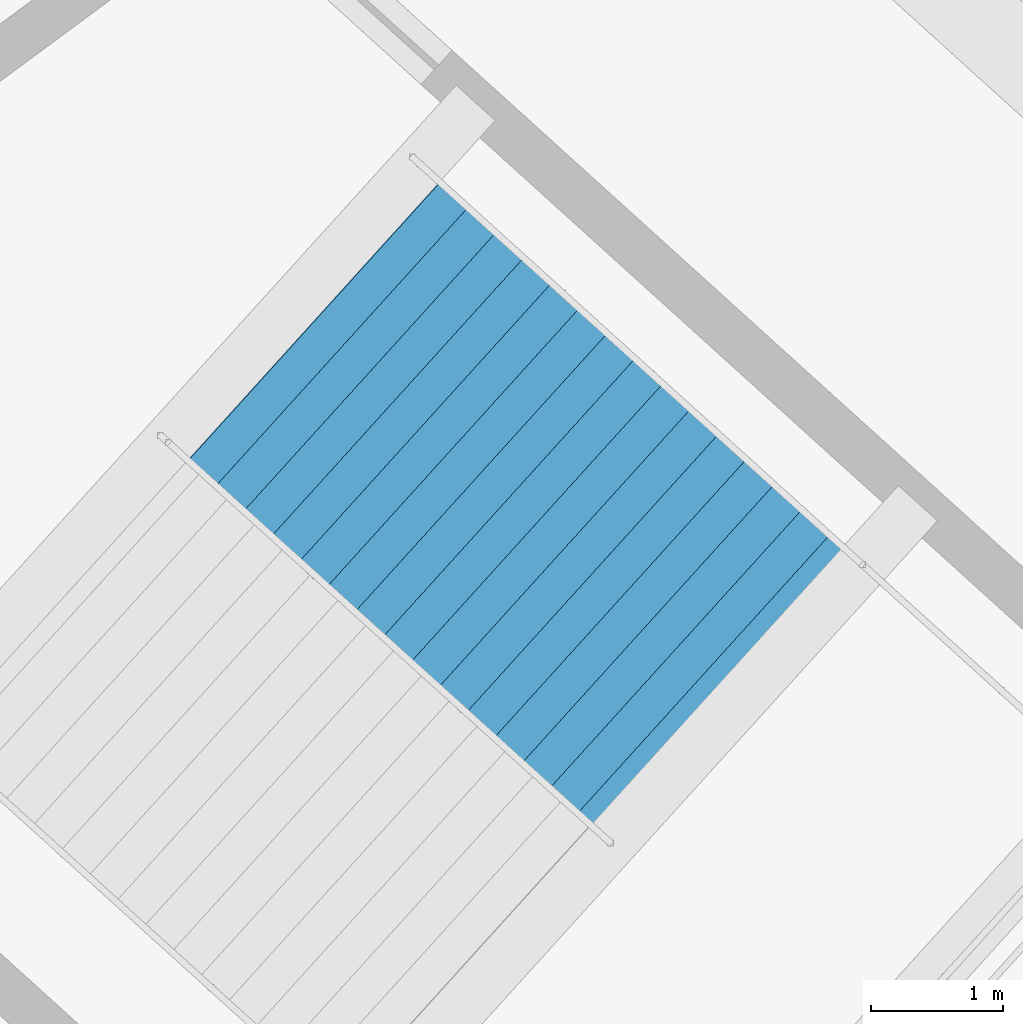
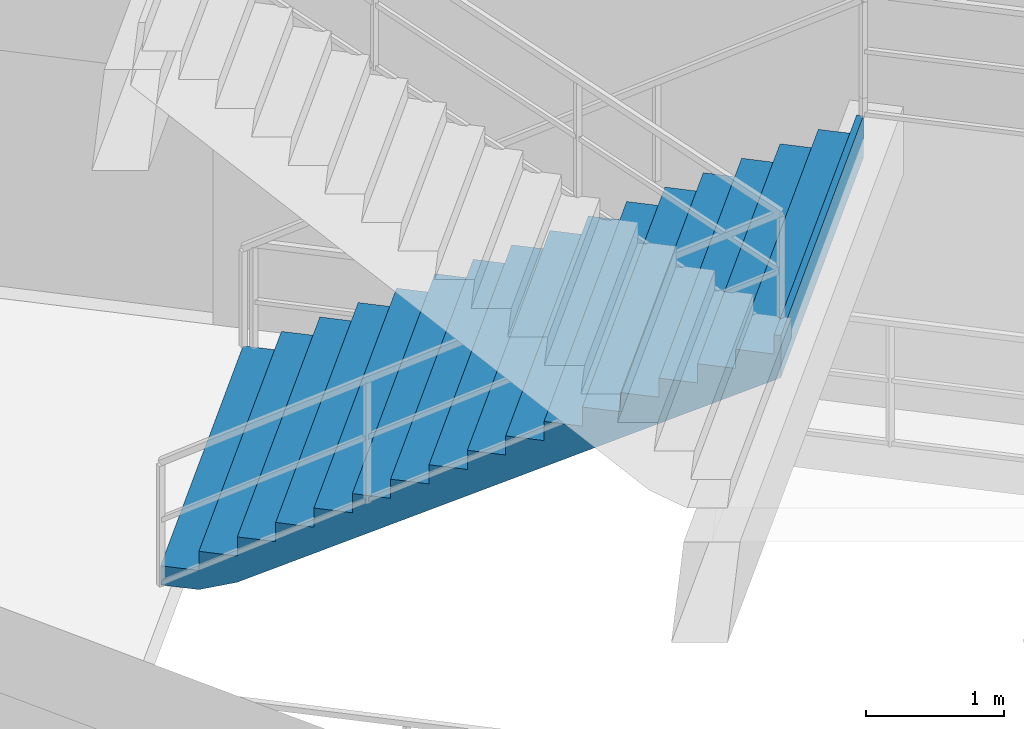
# One storey, part 20 of 48: 1 stair flight, 1 element without a shape of its own.
"""IFC4 building model written with IfcOpenShell, lengths in metres."""

from ifc_helpers import new_model, si_unit, direction, frame, origin, place, context, subcontext, project, spatial, polygons, material, type_object, element, aggregate, save


model = new_model("IFC4")

# Units and contexts
model_context = context("Model", 3, precision=1e-05, world=origin(), true_north=direction((0.0, 1.0)))
body_context = subcontext(model_context, "Body", "Model", "MODEL_VIEW")
ifc_project = project(units=[si_unit("LENGTHUNIT", "METRE"), si_unit("AREAUNIT", "SQUARE_METRE"), si_unit("VOLUMEUNIT", "CUBIC_METRE"), si_unit("PLANEANGLEUNIT", "RADIAN"), si_unit("MASSUNIT", "GRAM", prefix="KILO")], contexts=[model_context])

# Site, building, storey
site_placement = place(None, origin())
site = spatial("IfcSite", under=ifc_project, at=site_placement, CompositionType="ELEMENT")
building_placement = place(site_placement, origin())
building = spatial("IfcBuilding", under=site, at=building_placement, Name="Kazemori Nagisa Stadium", CompositionType="ELEMENT")
storey_placement = place(building_placement, origin())
storey = spatial("IfcBuildingStorey", under=building, at=storey_placement, Name="L00", CompositionType="ELEMENT", Elevation=0.0)

# Stair, stair flight
ifc_material = material(Name="Concrete C36/45 (Fc36)", Category="concrete")
stair_type = type_object("IfcStairType", Name="Stair_CORE_34", PredefinedType="TWO_STRAIGHT_RUN_STAIR", material=ifc_material)
stair_placement = place(storey_placement, origin())
stair = element("IfcStair", 1, at=stair_placement, inside=storey, type_object=stair_type, Name="Exit stair ST03 L00", PredefinedType="TWO_STRAIGHT_RUN_STAIR")
stair_flight_type = type_object("IfcStairFlightType", Name="Flight_CORE_17", PredefinedType="STRAIGHT", material=ifc_material)
stair_flight_placement = place(storey_placement, frame((54.10791015625, 47.6630859375, 0.0), z_axis=(0.0, 0.0, 1.0), x_axis=(0.741355642131, -0.671112369041, 0.0)))
stair_flight = element("IfcStairFlight", 2, at=stair_flight_placement, type_object=stair_flight_type, Name="Exit stair ST03 L00 flight 1", NumberOfRisers=17, NumberOfTreads=16, PredefinedType="STRAIGHT", RiserHeight=0.17, TreadLength=0.285, context=body_context, shape_type="Tessellation", body=[
    polygons([(0.0, -1.425048828125, 0.0), (0.0, -1.425048828125, 0.169921875), (0.284912109375, -1.425048828125, 0.169921875), (0.284912109375, -1.425048828125, 0.340087890625), (0.570068359375, -1.425048828125, 0.340087890625), (0.570068359375, -1.425048828125, 0.510009765625), (0.85498046875, -1.425048828125, 0.510009765625), (0.85498046875, -1.425048828125, 0.679931640625), (1.139892578125, -1.425048828125, 0.679931640625), (1.139892578125, -1.425048828125, 0.85009765625), (1.425048828125, -1.425048828125, 0.85009765625), (1.425048828125, -1.425048828125, 1.02001953125), (1.7099609375, -1.425048828125, 1.02001953125), (1.7099609375, -1.425048828125, 1.18994140625), (1.9951171875, -1.425048828125, 1.18994140625), (1.9951171875, -1.425048828125, 1.360107421875), (2.280029296875, -1.425048828125, 1.360107421875), (2.280029296875, -1.425048828125, 1.530029296875), (2.56494140625, -1.425048828125, 1.530029296875), (2.56494140625, -1.425048828125, 1.699951171875), (2.85009765625, -1.425048828125, 1.699951171875), (2.85009765625, -1.425048828125, 1.8701171875), (3.135009765625, -1.425048828125, 1.8701171875), (3.135009765625, -1.425048828125, 2.0400390625), (3.419921875, -1.425048828125, 2.0400390625), (3.419921875, -1.425048828125, 2.2099609375), (3.705078125, -1.425048828125, 2.2099609375), (3.705078125, -1.425048828125, 2.3798828125), (3.989990234375, -1.425048828125, 2.3798828125), (3.989990234375, -1.425048828125, 2.550048828125), (4.27490234375, -1.425048828125, 2.550048828125), (4.27490234375, -1.425048828125, 2.719970703125), (4.56005859375, -1.425048828125, 2.719970703125), (4.56005859375, -1.425048828125, 2.889892578125), (4.610107421875, -1.425048828125, 2.889892578125), (4.610107421875, -1.425048828125, 2.51708984375), (4.56005859375, -1.425048828125, 2.487060546875), (4.27490234375, -1.425048828125, 2.317138671875), (3.989990234375, -1.425048828125, 2.147216796875), (3.705078125, -1.425048828125, 1.977294921875), (3.419921875, -1.425048828125, 1.80712890625), (3.135009765625, -1.425048828125, 1.63720703125), (2.85009765625, -1.425048828125, 1.46728515625), (2.56494140625, -1.425048828125, 1.297119140625), (2.280029296875, -1.425048828125, 1.127197265625), (1.9951171875, -1.425048828125, 0.957275390625), (1.7099609375, -1.425048828125, 0.787109375), (1.425048828125, -1.425048828125, 0.6171875), (1.139892578125, -1.425048828125, 0.447265625), (0.85498046875, -1.425048828125, 0.277099609375), (0.570068359375, -1.425048828125, 0.107177734375), (0.284912109375, -1.425048828125, 0.0), (0.0, -0.08544921875, 0.0), (0.0, -0.08544921875, 0.169921875), (0.284912109375, -0.08544921875, 0.169921875), (0.284912109375, -0.08544921875, 0.340087890625), (0.570068359375, -0.08544921875, 0.340087890625), (0.570068359375, -0.08544921875, 0.510009765625), (0.85498046875, -0.08544921875, 0.510009765625), (0.85498046875, -0.08544921875, 0.679931640625), (1.139892578125, -0.08544921875, 0.679931640625), (1.139892578125, -0.08544921875, 0.85009765625), (1.425048828125, -0.08544921875, 0.85009765625), (1.425048828125, -0.08544921875, 1.02001953125), (1.7099609375, -0.08544921875, 1.02001953125), (1.7099609375, -0.08544921875, 1.18994140625), (1.9951171875, -0.08544921875, 1.18994140625), (1.9951171875, -0.08544921875, 1.360107421875), (2.280029296875, -0.08544921875, 1.360107421875), (2.280029296875, -0.08544921875, 1.530029296875), (2.56494140625, -0.08544921875, 1.530029296875), (2.56494140625, -0.08544921875, 1.699951171875), (2.85009765625, -0.08544921875, 1.699951171875), (2.85009765625, -0.08544921875, 1.8701171875), (3.135009765625, -0.08544921875, 1.8701171875), (3.135009765625, -0.08544921875, 2.0400390625), (3.419921875, -0.08544921875, 2.0400390625), (3.419921875, -0.08544921875, 2.2099609375), (3.705078125, -0.08544921875, 2.2099609375), (3.705078125, -0.08544921875, 2.3798828125), (3.989990234375, -0.08544921875, 2.3798828125), (3.989990234375, -0.08544921875, 2.550048828125), (4.27490234375, -0.08544921875, 2.550048828125), (4.27490234375, -0.08544921875, 2.719970703125), (4.56005859375, -0.08544921875, 2.719970703125), (4.56005859375, -0.08544921875, 2.889892578125), (4.610107421875, -0.08544921875, 2.889892578125), (4.610107421875, -0.08544921875, 2.51708984375), (4.56005859375, -0.08544921875, 2.487060546875), (4.27490234375, -0.08544921875, 2.317138671875), (3.989990234375, -0.08544921875, 2.147216796875), (3.705078125, -0.08544921875, 1.977294921875), (3.419921875, -0.08544921875, 1.80712890625), (3.135009765625, -0.08544921875, 1.63720703125), (2.85009765625, -0.08544921875, 1.46728515625), (2.56494140625, -0.08544921875, 1.297119140625), (2.280029296875, -0.08544921875, 1.127197265625), (1.9951171875, -0.08544921875, 0.957275390625), (1.7099609375, -0.08544921875, 0.787109375), (1.425048828125, -0.08544921875, 0.6171875), (1.139892578125, -0.08544921875, 0.447265625), (0.85498046875, -0.08544921875, 0.277099609375), (0.570068359375, -0.08544921875, 0.107177734375), (0.284912109375, -0.08544921875, 0.0), (0.0, 0.0, 0.0), (0.0, 0.0, 0.169921875), (0.284912109375, 0.0, 0.169921875), (0.284912109375, 0.0, 0.340087890625), (0.570068359375, 0.0, 0.340087890625), (0.570068359375, 0.0, 0.510009765625), (0.85498046875, 0.0, 0.510009765625), (0.85498046875, 0.0, 0.679931640625), (1.139892578125, 0.0, 0.679931640625), (1.139892578125, 0.0, 0.85009765625), (1.425048828125, 0.0, 0.85009765625), (1.425048828125, 0.0, 1.02001953125), (1.7099609375, 0.0, 1.02001953125), (1.7099609375, 0.0, 1.18994140625), (1.9951171875, 0.0, 1.18994140625), (1.9951171875, 0.0, 1.360107421875), (2.280029296875, 0.0, 1.360107421875), (2.280029296875, 0.0, 1.530029296875), (2.56494140625, 0.0, 1.530029296875), (2.56494140625, 0.0, 1.699951171875), (2.85009765625, 0.0, 1.699951171875), (2.85009765625, 0.0, 1.8701171875), (3.135009765625, 0.0, 1.8701171875), (3.135009765625, 0.0, 2.0400390625), (3.419921875, 0.0, 2.0400390625), (3.419921875, 0.0, 2.2099609375), (3.705078125, 0.0, 2.2099609375), (3.705078125, 0.0, 2.3798828125), (3.989990234375, 0.0, 2.3798828125), (3.989990234375, 0.0, 2.550048828125), (4.27490234375, 0.0, 2.550048828125), (4.27490234375, 0.0, 2.719970703125), (4.56005859375, 0.0, 2.719970703125), (4.56005859375, 0.0, 2.889892578125), (4.610107421875, 0.0, 2.889892578125), (4.610107421875, 0.0, 2.51708984375), (4.56005859375, 0.0, 2.487060546875), (4.27490234375, 0.0, 2.317138671875), (3.989990234375, 0.0, 2.147216796875), (3.705078125, 0.0, 1.977294921875), (3.419921875, 0.0, 1.80712890625), (3.135009765625, 0.0, 1.63720703125), (2.85009765625, 0.0, 1.46728515625), (2.56494140625, 0.0, 1.297119140625), (2.280029296875, 0.0, 1.127197265625), (1.9951171875, 0.0, 0.957275390625), (1.7099609375, 0.0, 0.787109375), (1.425048828125, 0.0, 0.6171875), (1.139892578125, 0.0, 0.447265625), (0.85498046875, 0.0, 0.277099609375), (0.570068359375, 0.0, 0.107177734375), (0.284912109375, 0.0, 0.0), (0.0, 0.08544921875, 0.0), (0.0, 0.08544921875, 0.169921875), (0.284912109375, 0.08544921875, 0.169921875), (0.284912109375, 0.08544921875, 0.340087890625), (0.570068359375, 0.08544921875, 0.340087890625), (0.570068359375, 0.08544921875, 0.510009765625), (0.85498046875, 0.08544921875, 0.510009765625), (0.85498046875, 0.08544921875, 0.679931640625), (1.139892578125, 0.08544921875, 0.679931640625), (1.139892578125, 0.08544921875, 0.85009765625), (1.425048828125, 0.08544921875, 0.85009765625), (1.425048828125, 0.08544921875, 1.02001953125), (1.7099609375, 0.08544921875, 1.02001953125), (1.7099609375, 0.08544921875, 1.18994140625), (1.9951171875, 0.08544921875, 1.18994140625), (1.9951171875, 0.08544921875, 1.360107421875), (2.280029296875, 0.08544921875, 1.360107421875), (2.280029296875, 0.08544921875, 1.530029296875), (2.56494140625, 0.08544921875, 1.530029296875), (2.56494140625, 0.08544921875, 1.699951171875), (2.85009765625, 0.08544921875, 1.699951171875), (2.85009765625, 0.08544921875, 1.8701171875), (3.135009765625, 0.08544921875, 1.8701171875), (3.135009765625, 0.08544921875, 2.0400390625), (3.419921875, 0.08544921875, 2.0400390625), (3.419921875, 0.08544921875, 2.2099609375), (3.705078125, 0.08544921875, 2.2099609375), (3.705078125, 0.08544921875, 2.3798828125), (3.989990234375, 0.08544921875, 2.3798828125), (3.989990234375, 0.08544921875, 2.550048828125), (4.27490234375, 0.08544921875, 2.550048828125), (4.27490234375, 0.08544921875, 2.719970703125), (4.56005859375, 0.08544921875, 2.719970703125), (4.56005859375, 0.08544921875, 2.889892578125), (4.610107421875, 0.08544921875, 2.889892578125), (4.610107421875, 0.08544921875, 2.51708984375), (4.56005859375, 0.08544921875, 2.487060546875), (4.27490234375, 0.08544921875, 2.317138671875), (3.989990234375, 0.08544921875, 2.147216796875), (3.705078125, 0.08544921875, 1.977294921875), (3.419921875, 0.08544921875, 1.80712890625), (3.135009765625, 0.08544921875, 1.63720703125), (2.85009765625, 0.08544921875, 1.46728515625), (2.56494140625, 0.08544921875, 1.297119140625), (2.280029296875, 0.08544921875, 1.127197265625), (1.9951171875, 0.08544921875, 0.957275390625), (1.7099609375, 0.08544921875, 0.787109375), (1.425048828125, 0.08544921875, 0.6171875), (1.139892578125, 0.08544921875, 0.447265625), (0.85498046875, 0.08544921875, 0.277099609375), (0.570068359375, 0.08544921875, 0.107177734375), (0.284912109375, 0.08544921875, 0.0), (0.0, 1.425048828125, 0.0), (0.0, 1.425048828125, 0.169921875), (0.284912109375, 1.425048828125, 0.169921875), (0.284912109375, 1.425048828125, 0.340087890625), (0.570068359375, 1.425048828125, 0.340087890625), (0.570068359375, 1.425048828125, 0.510009765625), (0.85498046875, 1.425048828125, 0.510009765625), (0.85498046875, 1.425048828125, 0.679931640625), (1.139892578125, 1.425048828125, 0.679931640625), (1.139892578125, 1.425048828125, 0.85009765625), (1.425048828125, 1.425048828125, 0.85009765625), (1.425048828125, 1.425048828125, 1.02001953125), (1.7099609375, 1.425048828125, 1.02001953125), (1.7099609375, 1.425048828125, 1.18994140625), (1.9951171875, 1.425048828125, 1.18994140625), (1.9951171875, 1.425048828125, 1.360107421875), (2.280029296875, 1.425048828125, 1.360107421875), (2.280029296875, 1.425048828125, 1.530029296875), (2.56494140625, 1.425048828125, 1.530029296875), (2.56494140625, 1.425048828125, 1.699951171875), (2.85009765625, 1.425048828125, 1.699951171875), (2.85009765625, 1.425048828125, 1.8701171875), (3.135009765625, 1.425048828125, 1.8701171875), (3.135009765625, 1.425048828125, 2.0400390625), (3.419921875, 1.425048828125, 2.0400390625), (3.419921875, 1.425048828125, 2.2099609375), (3.705078125, 1.425048828125, 2.2099609375), (3.705078125, 1.425048828125, 2.3798828125), (3.989990234375, 1.425048828125, 2.3798828125), (3.989990234375, 1.425048828125, 2.550048828125), (4.27490234375, 1.425048828125, 2.550048828125), (4.27490234375, 1.425048828125, 2.719970703125), (4.56005859375, 1.425048828125, 2.719970703125), (4.56005859375, 1.425048828125, 2.889892578125), (4.610107421875, 1.425048828125, 2.889892578125), (4.610107421875, 1.425048828125, 2.51708984375), (4.56005859375, 1.425048828125, 2.487060546875), (4.27490234375, 1.425048828125, 2.317138671875), (3.989990234375, 1.425048828125, 2.147216796875), (3.705078125, 1.425048828125, 1.977294921875), (3.419921875, 1.425048828125, 1.80712890625), (3.135009765625, 1.425048828125, 1.63720703125), (2.85009765625, 1.425048828125, 1.46728515625), (2.56494140625, 1.425048828125, 1.297119140625), (2.280029296875, 1.425048828125, 1.127197265625), (1.9951171875, 1.425048828125, 0.957275390625), (1.7099609375, 1.425048828125, 0.787109375), (1.425048828125, 1.425048828125, 0.6171875), (1.139892578125, 1.425048828125, 0.447265625), (0.85498046875, 1.425048828125, 0.277099609375), (0.570068359375, 1.425048828125, 0.107177734375), (0.284912109375, 1.425048828125, 0.0)], [[[1, 2, 54]], [[1, 54, 53]], [[2, 3, 55]], [[2, 55, 54]], [[3, 4, 56]], [[3, 56, 55]], [[4, 5, 57]], [[4, 57, 56]], [[5, 6, 58]], [[5, 58, 57]], [[6, 7, 59]], [[6, 59, 58]], [[7, 8, 60]], [[7, 60, 59]], [[8, 9, 61]], [[8, 61, 60]], [[9, 10, 62]], [[9, 62, 61]], [[10, 11, 63]], [[10, 63, 62]], [[11, 12, 64]], [[11, 64, 63]], [[12, 13, 65]], [[12, 65, 64]], [[13, 14, 66]], [[13, 66, 65]], [[14, 15, 67]], [[14, 67, 66]], [[15, 16, 68]], [[15, 68, 67]], [[16, 17, 69]], [[16, 69, 68]], [[17, 18, 70]], [[17, 70, 69]], [[18, 19, 71]], [[18, 71, 70]], [[19, 20, 72]], [[19, 72, 71]], [[20, 21, 73]], [[20, 73, 72]], [[21, 22, 74]], [[21, 74, 73]], [[22, 23, 75]], [[22, 75, 74]], [[23, 24, 76]], [[23, 76, 75]], [[24, 25, 77]], [[24, 77, 76]], [[25, 26, 78]], [[25, 78, 77]], [[26, 27, 79]], [[26, 79, 78]], [[27, 28, 80]], [[27, 80, 79]], [[28, 29, 81]], [[28, 81, 80]], [[29, 30, 82]], [[29, 82, 81]], [[30, 31, 83]], [[30, 83, 82]], [[31, 32, 84]], [[31, 84, 83]], [[32, 33, 85]], [[32, 85, 84]], [[33, 34, 86]], [[33, 86, 85]], [[34, 35, 87]], [[34, 87, 86]], [[35, 36, 88]], [[35, 88, 87]], [[36, 37, 89]], [[36, 89, 88]], [[37, 38, 90]], [[37, 90, 89]], [[38, 39, 91]], [[38, 91, 90]], [[39, 40, 92]], [[39, 92, 91]], [[40, 41, 93]], [[40, 93, 92]], [[41, 42, 94]], [[41, 94, 93]], [[42, 43, 95]], [[42, 95, 94]], [[43, 44, 96]], [[43, 96, 95]], [[44, 45, 97]], [[44, 97, 96]], [[45, 46, 98]], [[45, 98, 97]], [[46, 47, 99]], [[46, 99, 98]], [[47, 48, 100]], [[47, 100, 99]], [[48, 49, 101]], [[48, 101, 100]], [[49, 50, 102]], [[49, 102, 101]], [[50, 51, 103]], [[50, 103, 102]], [[51, 52, 104]], [[51, 104, 103]], [[52, 1, 53]], [[52, 53, 104]], [[53, 54, 106]], [[53, 106, 105]], [[54, 55, 107]], [[54, 107, 106]], [[55, 56, 108]], [[55, 108, 107]], [[56, 57, 109]], [[56, 109, 108]], [[57, 58, 110]], [[57, 110, 109]], [[58, 59, 111]], [[58, 111, 110]], [[59, 60, 112]], [[59, 112, 111]], [[60, 61, 113]], [[60, 113, 112]], [[61, 62, 114]], [[61, 114, 113]], [[62, 63, 115]], [[62, 115, 114]], [[63, 64, 116]], [[63, 116, 115]], [[64, 65, 117]], [[64, 117, 116]], [[65, 66, 118]], [[65, 118, 117]], [[66, 67, 119]], [[66, 119, 118]], [[67, 68, 120]], [[67, 120, 119]], [[68, 69, 121]], [[68, 121, 120]], [[69, 70, 122]], [[69, 122, 121]], [[70, 71, 123]], [[70, 123, 122]], [[71, 72, 124]], [[71, 124, 123]], [[72, 73, 125]], [[72, 125, 124]], [[73, 74, 126]], [[73, 126, 125]], [[74, 75, 127]], [[74, 127, 126]], [[75, 76, 128]], [[75, 128, 127]], [[76, 77, 129]], [[76, 129, 128]], [[77, 78, 130]], [[77, 130, 129]], [[78, 79, 131]], [[78, 131, 130]], [[79, 80, 132]], [[79, 132, 131]], [[80, 81, 133]], [[80, 133, 132]], [[81, 82, 134]], [[81, 134, 133]], [[82, 83, 135]], [[82, 135, 134]], [[83, 84, 136]], [[83, 136, 135]], [[84, 85, 137]], [[84, 137, 136]], [[85, 86, 138]], [[85, 138, 137]], [[86, 87, 139]], [[86, 139, 138]], [[87, 88, 140]], [[87, 140, 139]], [[88, 89, 141]], [[88, 141, 140]], [[89, 90, 142]], [[89, 142, 141]], [[90, 91, 143]], [[90, 143, 142]], [[91, 92, 144]], [[91, 144, 143]], [[92, 93, 145]], [[92, 145, 144]], [[93, 94, 146]], [[93, 146, 145]], [[94, 95, 147]], [[94, 147, 146]], [[95, 96, 148]], [[95, 148, 147]], [[96, 97, 149]], [[96, 149, 148]], [[97, 98, 150]], [[97, 150, 149]], [[98, 99, 151]], [[98, 151, 150]], [[99, 100, 152]], [[99, 152, 151]], [[100, 101, 153]], [[100, 153, 152]], [[101, 102, 154]], [[101, 154, 153]], [[102, 103, 155]], [[102, 155, 154]], [[103, 104, 156]], [[103, 156, 155]], [[104, 53, 105]], [[104, 105, 156]], [[105, 106, 158]], [[105, 158, 157]], [[106, 107, 159]], [[106, 159, 158]], [[107, 108, 160]], [[107, 160, 159]], [[108, 109, 161]], [[108, 161, 160]], [[109, 110, 162]], [[109, 162, 161]], [[110, 111, 163]], [[110, 163, 162]], [[111, 112, 164]], [[111, 164, 163]], [[112, 113, 165]], [[112, 165, 164]], [[113, 114, 166]], [[113, 166, 165]], [[114, 115, 167]], [[114, 167, 166]], [[115, 116, 168]], [[115, 168, 167]], [[116, 117, 169]], [[116, 169, 168]], [[117, 118, 170]], [[117, 170, 169]], [[118, 119, 171]], [[118, 171, 170]], [[119, 120, 172]], [[119, 172, 171]], [[120, 121, 173]], [[120, 173, 172]], [[121, 122, 174]], [[121, 174, 173]], [[122, 123, 175]], [[122, 175, 174]], [[123, 124, 176]], [[123, 176, 175]], [[124, 125, 177]], [[124, 177, 176]], [[125, 126, 178]], [[125, 178, 177]], [[126, 127, 179]], [[126, 179, 178]], [[127, 128, 180]], [[127, 180, 179]], [[128, 129, 181]], [[128, 181, 180]], [[129, 130, 182]], [[129, 182, 181]], [[130, 131, 183]], [[130, 183, 182]], [[131, 132, 184]], [[131, 184, 183]], [[132, 133, 185]], [[132, 185, 184]], [[133, 134, 186]], [[133, 186, 185]], [[134, 135, 187]], [[134, 187, 186]], [[135, 136, 188]], [[135, 188, 187]], [[136, 137, 189]], [[136, 189, 188]], [[137, 138, 190]], [[137, 190, 189]], [[138, 139, 191]], [[138, 191, 190]], [[139, 140, 192]], [[139, 192, 191]], [[140, 141, 193]], [[140, 193, 192]], [[141, 142, 194]], [[141, 194, 193]], [[142, 143, 195]], [[142, 195, 194]], [[143, 144, 196]], [[143, 196, 195]], [[144, 145, 197]], [[144, 197, 196]], [[145, 146, 198]], [[145, 198, 197]], [[146, 147, 199]], [[146, 199, 198]], [[147, 148, 200]], [[147, 200, 199]], [[148, 149, 201]], [[148, 201, 200]], [[149, 150, 202]], [[149, 202, 201]], [[150, 151, 203]], [[150, 203, 202]], [[151, 152, 204]], [[151, 204, 203]], [[152, 153, 205]], [[152, 205, 204]], [[153, 154, 206]], [[153, 206, 205]], [[154, 155, 207]], [[154, 207, 206]], [[155, 156, 208]], [[155, 208, 207]], [[156, 105, 157]], [[156, 157, 208]], [[157, 158, 210]], [[157, 210, 209]], [[158, 159, 211]], [[158, 211, 210]], [[159, 160, 212]], [[159, 212, 211]], [[160, 161, 213]], [[160, 213, 212]], [[161, 162, 214]], [[161, 214, 213]], [[162, 163, 215]], [[162, 215, 214]], [[163, 164, 216]], [[163, 216, 215]], [[164, 165, 217]], [[164, 217, 216]], [[165, 166, 218]], [[165, 218, 217]], [[166, 167, 219]], [[166, 219, 218]], [[167, 168, 220]], [[167, 220, 219]], [[168, 169, 221]], [[168, 221, 220]], [[169, 170, 222]], [[169, 222, 221]], [[170, 171, 223]], [[170, 223, 222]], [[171, 172, 224]], [[171, 224, 223]], [[172, 173, 225]], [[172, 225, 224]], [[173, 174, 226]], [[173, 226, 225]], [[174, 175, 227]], [[174, 227, 226]], [[175, 176, 228]], [[175, 228, 227]], [[176, 177, 229]], [[176, 229, 228]], [[177, 178, 230]], [[177, 230, 229]], [[178, 179, 231]], [[178, 231, 230]], [[179, 180, 232]], [[179, 232, 231]], [[180, 181, 233]], [[180, 233, 232]], [[181, 182, 234]], [[181, 234, 233]], [[182, 183, 235]], [[182, 235, 234]], [[183, 184, 236]], [[183, 236, 235]], [[184, 185, 237]], [[184, 237, 236]], [[185, 186, 238]], [[185, 238, 237]], [[186, 187, 239]], [[186, 239, 238]], [[187, 188, 240]], [[187, 240, 239]], [[188, 189, 241]], [[188, 241, 240]], [[189, 190, 242]], [[189, 242, 241]], [[190, 191, 243]], [[190, 243, 242]], [[191, 192, 244]], [[191, 244, 243]], [[192, 193, 245]], [[192, 245, 244]], [[193, 194, 246]], [[193, 246, 245]], [[194, 195, 247]], [[194, 247, 246]], [[195, 196, 248]], [[195, 248, 247]], [[196, 197, 249]], [[196, 249, 248]], [[197, 198, 250]], [[197, 250, 249]], [[198, 199, 251]], [[198, 251, 250]], [[199, 200, 252]], [[199, 252, 251]], [[200, 201, 253]], [[200, 253, 252]], [[201, 202, 254]], [[201, 254, 253]], [[202, 203, 255]], [[202, 255, 254]], [[203, 204, 256]], [[203, 256, 255]], [[204, 205, 257]], [[204, 257, 256]], [[205, 206, 258]], [[205, 258, 257]], [[206, 207, 259]], [[206, 259, 258]], [[207, 208, 260]], [[207, 260, 259]], [[208, 157, 209]], [[208, 209, 260]], [[3, 2, 1]], [[209, 210, 211]], [[52, 3, 1]], [[209, 211, 260]], [[51, 3, 52]], [[260, 211, 259]], [[5, 3, 51]], [[259, 211, 213]], [[5, 4, 3]], [[211, 212, 213]], [[50, 5, 51]], [[259, 213, 258]], [[7, 5, 50]], [[258, 213, 215]], [[7, 6, 5]], [[213, 214, 215]], [[49, 7, 50]], [[258, 215, 257]], [[9, 7, 49]], [[257, 215, 217]], [[9, 8, 7]], [[215, 216, 217]], [[48, 9, 49]], [[257, 217, 256]], [[11, 9, 48]], [[256, 217, 219]], [[11, 10, 9]], [[217, 218, 219]], [[47, 11, 48]], [[256, 219, 255]], [[13, 11, 47]], [[255, 219, 221]], [[13, 12, 11]], [[219, 220, 221]], [[46, 13, 47]], [[255, 221, 254]], [[15, 13, 46]], [[254, 221, 223]], [[15, 14, 13]], [[221, 222, 223]], [[45, 15, 46]], [[254, 223, 253]], [[17, 15, 45]], [[253, 223, 225]], [[17, 16, 15]], [[223, 224, 225]], [[44, 17, 45]], [[253, 225, 252]], [[19, 17, 44]], [[252, 225, 227]], [[19, 18, 17]], [[225, 226, 227]], [[43, 19, 44]], [[252, 227, 251]], [[21, 19, 43]], [[251, 227, 229]], [[21, 20, 19]], [[227, 228, 229]], [[42, 21, 43]], [[251, 229, 250]], [[23, 21, 42]], [[250, 229, 231]], [[23, 22, 21]], [[229, 230, 231]], [[41, 23, 42]], [[250, 231, 249]], [[25, 23, 41]], [[249, 231, 233]], [[25, 24, 23]], [[231, 232, 233]], [[40, 25, 41]], [[249, 233, 248]], [[27, 25, 40]], [[248, 233, 235]], [[27, 26, 25]], [[233, 234, 235]], [[39, 27, 40]], [[248, 235, 247]], [[29, 27, 39]], [[247, 235, 237]], [[29, 28, 27]], [[235, 236, 237]], [[38, 29, 39]], [[247, 237, 246]], [[31, 29, 38]], [[246, 237, 239]], [[31, 30, 29]], [[237, 238, 239]], [[37, 31, 38]], [[246, 239, 245]], [[33, 31, 37]], [[245, 239, 241]], [[33, 32, 31]], [[239, 240, 241]], [[36, 33, 37]], [[245, 241, 244]], [[35, 33, 36]], [[244, 241, 243]], [[35, 34, 33]], [[241, 242, 243]]], closed=True),
])
aggregate(stair, [stair_flight])

save(model, "model.ifc")
